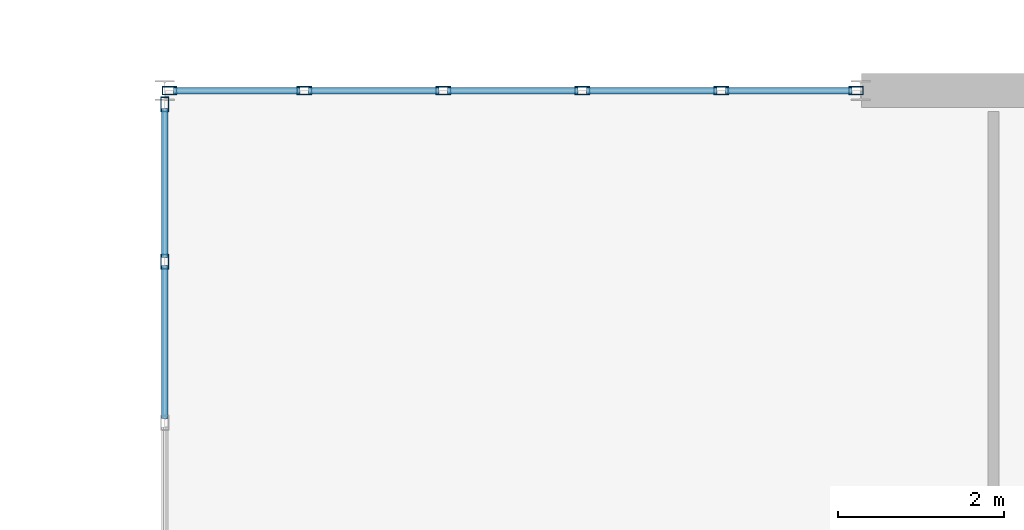
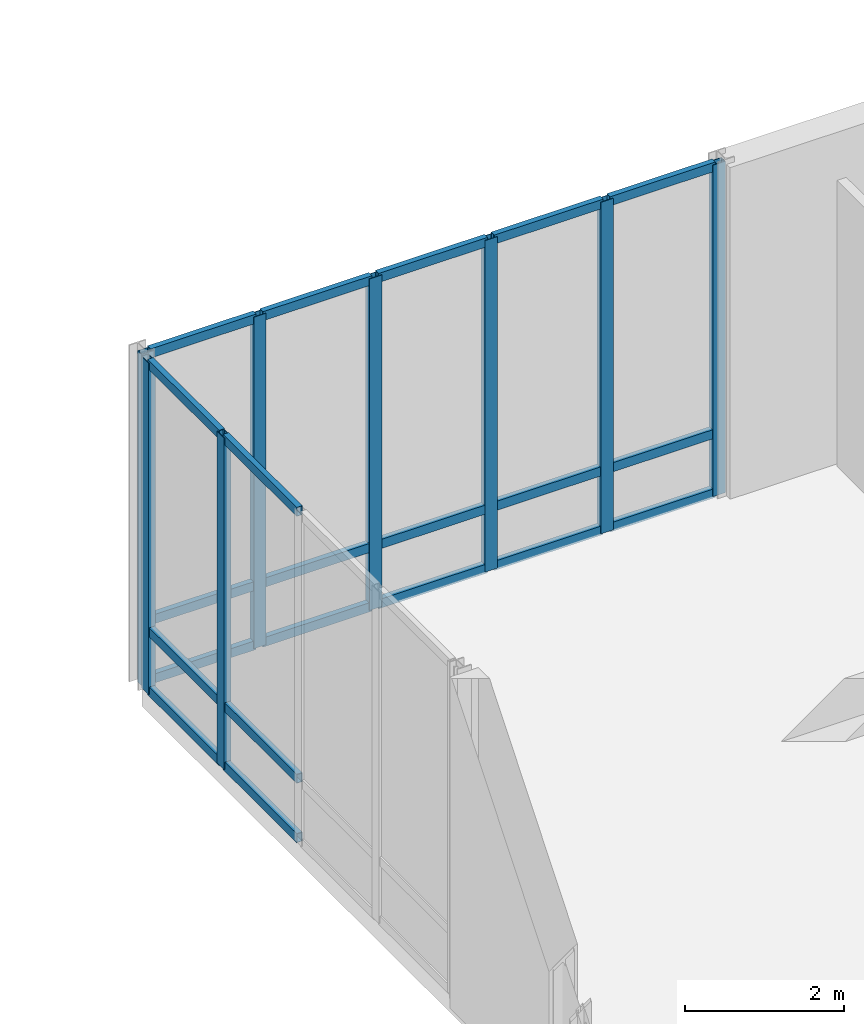
# One storey, part 70 of 169: 29 members, 2 elements without a shape of their own.
"""IFC4 building model written with IfcOpenShell, lengths in metres."""

from ifc_helpers import new_model, si_unit, direction, frame, origin, origin_2d, place, context, subcontext, project, spatial, hollow_rectangle, extrude, material, layer, layer_set, material_profile, profile_set, type_object, element, aggregate, save


model = new_model("IFC4")

# Units and contexts
model_context = context("Model", 3, precision=1e-05, world=origin(), true_north=direction((0.0, 1.0)))
body_context = subcontext(model_context, "Body", "Model", "MODEL_VIEW")
ifc_project = project(units=[si_unit("LENGTHUNIT", "METRE"), si_unit("AREAUNIT", "SQUARE_METRE"), si_unit("VOLUMEUNIT", "CUBIC_METRE"), si_unit("PLANEANGLEUNIT", "RADIAN"), si_unit("MASSUNIT", "GRAM", prefix="KILO")], contexts=[model_context])

# Site, building, storey
site_placement = place(None, origin())
site = spatial("IfcSite", under=ifc_project, at=site_placement, CompositionType="ELEMENT")
building_placement = place(site_placement, origin())
building = spatial("IfcBuilding", under=site, at=building_placement, Name="Mazaris Harbour Polytechnic", CompositionType="ELEMENT")
storey_placement = place(building_placement, origin())
storey = spatial("IfcBuildingStorey", under=building, at=storey_placement, Name="L00", CompositionType="ELEMENT", Elevation=0.0)

# Curtain wall, members
ifc_material_1 = material(Name="Anodised Bronze Aluminium and Low-E Glass", Category="aluminium")
ifc_layer = layer(ifc_material_1, 0.14990234375, Name="Anodised Bronze Aluminium and Low-E Glass")
ifc_layer_set = layer_set([ifc_layer], Name="Anodised Bronze Aluminium and Low-E Glass")
curtain_wall_type = type_object("IfcCurtainWallType", Name="Workshop Clerestory Curtain Wall", PredefinedType="NOTDEFINED", material=ifc_layer_set)
curtain_wall_1_placement = place(storey_placement, origin())
curtain_wall_1 = element("IfcCurtainWall", 1, at=curtain_wall_1_placement, inside=storey, type_object=curtain_wall_type, Name="V1 L00 Curtain Wall 5", PredefinedType="NOTDEFINED")
ifc_material_2 = material(Name="Anodised Bronze Steel S355", Category="steel")
ifc_material_profile_1 = material_profile(ifc_material_2, hollow_rectangle(XDim=0.10009765625, YDim=0.179931640625, WallThickness=0.008056640625, at=origin_2d()), Name="RHS 100x180x8.0")
ifc_profile_set_1 = profile_set([ifc_material_profile_1], Name="Anodised Bronze Steel S355")
member_type_1 = type_object("IfcMemberType", Name="Curtain Mullion RHS100x180", PredefinedType="MULLION", material=ifc_profile_set_1)
member_1_placement = place(storey_placement, frame((54.05810546875, 118.800048828125, 0.0), z_axis=(0.0, 0.0, 1.0), x_axis=(0.0, 1.0, 0.0)))
member_1 = element("IfcMember", 2, at=member_1_placement, type_object=member_type_1, Name="CW-04 mullion 1", PredefinedType="MULLION", context=body_context, shape_type="SweptSolid", body=[
    extrude(hollow_rectangle(XDim=0.10009765625, YDim=0.179931640625, WallThickness=0.008056640625, at=origin_2d()), origin(), (0.0, 0.0, 1.0), 5.080078125),
])
member_2_placement = place(storey_placement, frame((55.684814453125, 118.800048828125, 0.0), z_axis=(0.0, 0.0, 1.0), x_axis=(0.0, 1.0, 0.0)))
member_2 = element("IfcMember", 3, at=member_2_placement, type_object=member_type_1, Name="CW-04 mullion 2", PredefinedType="MULLION", context=body_context, shape_type="SweptSolid", body=[
    extrude(hollow_rectangle(XDim=0.10009765625, YDim=0.179931640625, WallThickness=0.008056640625, at=origin_2d()), origin(), (0.0, 0.0, 1.0), 5.080078125),
])
member_3_placement = place(storey_placement, frame((57.361572265625, 118.800048828125, 0.0), z_axis=(0.0, 0.0, 1.0), x_axis=(0.0, 1.0, 0.0)))
member_3 = element("IfcMember", 4, at=member_3_placement, type_object=member_type_1, Name="CW-04 mullion 3", PredefinedType="MULLION", context=body_context, shape_type="SweptSolid", body=[
    extrude(hollow_rectangle(XDim=0.10009765625, YDim=0.179931640625, WallThickness=0.008056640625, at=origin_2d()), origin(), (0.0, 0.0, 1.0), 5.080078125),
])
member_4_placement = place(storey_placement, frame((59.038330078125, 118.800048828125, 0.0), z_axis=(0.0, 0.0, 1.0), x_axis=(0.0, 1.0, 0.0)))
member_4 = element("IfcMember", 5, at=member_4_placement, type_object=member_type_1, Name="CW-04 mullion 4", PredefinedType="MULLION", context=body_context, shape_type="SweptSolid", body=[
    extrude(hollow_rectangle(XDim=0.10009765625, YDim=0.179931640625, WallThickness=0.008056640625, at=origin_2d()), origin(), (0.0, 0.0, 1.0), 5.080078125),
])
member_5_placement = place(storey_placement, frame((60.715087890625, 118.800048828125, 0.0), z_axis=(0.0, 0.0, 1.0), x_axis=(0.0, 1.0, 0.0)))
member_5 = element("IfcMember", 6, at=member_5_placement, type_object=member_type_1, Name="CW-04 mullion 5", PredefinedType="MULLION", context=body_context, shape_type="SweptSolid", body=[
    extrude(hollow_rectangle(XDim=0.10009765625, YDim=0.179931640625, WallThickness=0.008056640625, at=origin_2d()), origin(), (0.0, 0.0, 1.0), 5.080078125),
])
member_6_placement = place(storey_placement, frame((62.342041015625, 118.800048828125, 0.0), z_axis=(0.0, 0.0, 1.0), x_axis=(0.0, 1.0, 0.0)))
member_6 = element("IfcMember", 7, at=member_6_placement, type_object=member_type_1, Name="CW-04 mullion 6", PredefinedType="MULLION", context=body_context, shape_type="SweptSolid", body=[
    extrude(hollow_rectangle(XDim=0.10009765625, YDim=0.179931640625, WallThickness=0.008056640625, at=origin_2d()), origin(), (0.0, 0.0, 1.0), 5.080078125),
])

curtain_wall_2_placement = place(storey_placement, origin())
curtain_wall_2 = element("IfcCurtainWall", 8, at=curtain_wall_2_placement, inside=storey, type_object=curtain_wall_type, Name="V1 L00 Curtain Wall 9", PredefinedType="NOTDEFINED")
member_7_placement = place(storey_placement, frame((54.0, 116.736572265625, 0.0), z_axis=(0.0, 0.0, 1.0), x_axis=(-1.0, 0.0, 0.0)))
member_7 = element("IfcMember", 9, at=member_7_placement, type_object=member_type_1, Name="CW-04 mullion 4", PredefinedType="MULLION", context=body_context, shape_type="SweptSolid", body=[
    extrude(hollow_rectangle(XDim=0.10009765625, YDim=0.179931640625, WallThickness=0.008056640625, at=origin_2d()), origin(), (0.0, 0.0, 1.0), 5.080078125),
])
member_8_placement = place(storey_placement, frame((54.0, 118.633056640625, 0.0), z_axis=(0.0, 0.0, 1.0), x_axis=(-1.0, 0.0, 0.0)))
member_8 = element("IfcMember", 10, at=member_8_placement, type_object=member_type_1, Name="CW-04 mullion 5", PredefinedType="MULLION", context=body_context, shape_type="SweptSolid", body=[
    extrude(hollow_rectangle(XDim=0.10009765625, YDim=0.179931640625, WallThickness=0.008056640625, at=origin_2d()), origin(), (0.0, 0.0, 1.0), 5.080078125),
])

# Member
ifc_material_3 = material(Name="Anodised Bronze Steel S355", Category="steel")
ifc_material_profile_2 = material_profile(ifc_material_3, hollow_rectangle(XDim=0.080078125, YDim=0.139892578125, WallThickness=0.00634765625, at=origin_2d()), Name="RHS 80x140x6.3")
ifc_profile_set_2 = profile_set([ifc_material_profile_2], Name="Anodised Bronze Steel S355")
member_type_2 = type_object("IfcMemberType", Name="Curtain Transom RHS80x140", PredefinedType="USERDEFINED", material=ifc_profile_set_2)
member_9_placement = place(storey_placement, frame((54.10791015625, 118.800048828125, 0.0400390625), z_axis=(1.0, 0.0, 0.0), x_axis=(0.0, 1.0, 0.0)))
member_9 = element("IfcMember", 11, at=member_9_placement, type_object=member_type_2, Name="CW-04 transom 1.1", ObjectType="TRANSOM", PredefinedType="USERDEFINED", context=body_context, shape_type="SweptSolid", body=[
    extrude(hollow_rectangle(XDim=0.080078125, YDim=0.139892578125, WallThickness=0.00634765625, at=origin_2d()), origin(), (0.0, 0.0, 1.0), 1.52685546875),
])

member_10_placement = place(storey_placement, frame((54.10791015625, 118.800048828125, 0.949951171875), z_axis=(1.0, 0.0, 0.0), x_axis=(0.0, 1.0, 0.0)))
member_10 = element("IfcMember", 12, at=member_10_placement, type_object=member_type_2, Name="CW-04 transom 1.2", ObjectType="TRANSOM", PredefinedType="USERDEFINED", context=body_context, shape_type="SweptSolid", body=[
    extrude(hollow_rectangle(XDim=0.080078125, YDim=0.139892578125, WallThickness=0.00634765625, at=origin_2d()), origin(), (0.0, 0.0, 1.0), 1.52685546875),
])

member_11_placement = place(storey_placement, frame((54.10791015625, 118.800048828125, 5.0400390625), z_axis=(1.0, 0.0, 0.0), x_axis=(0.0, 1.0, 0.0)))
member_11 = element("IfcMember", 13, at=member_11_placement, type_object=member_type_2, Name="CW-04 transom 1.3", ObjectType="TRANSOM", PredefinedType="USERDEFINED", context=body_context, shape_type="SweptSolid", body=[
    extrude(hollow_rectangle(XDim=0.080078125, YDim=0.139892578125, WallThickness=0.00634765625, at=origin_2d()), origin(), (0.0, 0.0, 1.0), 1.52685546875),
])

member_12_placement = place(storey_placement, frame((55.73486328125, 118.800048828125, 0.0400390625), z_axis=(1.0, 0.0, 0.0), x_axis=(0.0, 1.0, 0.0)))
member_12 = element("IfcMember", 14, at=member_12_placement, type_object=member_type_2, Name="CW-04 transom 2.1", ObjectType="TRANSOM", PredefinedType="USERDEFINED", context=body_context, shape_type="SweptSolid", body=[
    extrude(hollow_rectangle(XDim=0.080078125, YDim=0.139892578125, WallThickness=0.00634765625, at=origin_2d()), origin(), (0.0, 0.0, 1.0), 1.57666015625),
])

member_13_placement = place(storey_placement, frame((55.73486328125, 118.800048828125, 0.949951171875), z_axis=(1.0, 0.0, 0.0), x_axis=(0.0, 1.0, 0.0)))
member_13 = element("IfcMember", 15, at=member_13_placement, type_object=member_type_2, Name="CW-04 transom 2.2", ObjectType="TRANSOM", PredefinedType="USERDEFINED", context=body_context, shape_type="SweptSolid", body=[
    extrude(hollow_rectangle(XDim=0.080078125, YDim=0.139892578125, WallThickness=0.00634765625, at=origin_2d()), origin(), (0.0, 0.0, 1.0), 1.57666015625),
])

member_14_placement = place(storey_placement, frame((55.73486328125, 118.800048828125, 5.0400390625), z_axis=(1.0, 0.0, 0.0), x_axis=(0.0, 1.0, 0.0)))
member_14 = element("IfcMember", 16, at=member_14_placement, type_object=member_type_2, Name="CW-04 transom 2.3", ObjectType="TRANSOM", PredefinedType="USERDEFINED", context=body_context, shape_type="SweptSolid", body=[
    extrude(hollow_rectangle(XDim=0.080078125, YDim=0.139892578125, WallThickness=0.00634765625, at=origin_2d()), origin(), (0.0, 0.0, 1.0), 1.57666015625),
])

member_15_placement = place(storey_placement, frame((57.41162109375, 118.800048828125, 0.0400390625), z_axis=(1.0, 0.0, 0.0), x_axis=(0.0, 1.0, 0.0)))
member_15 = element("IfcMember", 17, at=member_15_placement, type_object=member_type_2, Name="CW-04 transom 3.1", ObjectType="TRANSOM", PredefinedType="USERDEFINED", context=body_context, shape_type="SweptSolid", body=[
    extrude(hollow_rectangle(XDim=0.080078125, YDim=0.139892578125, WallThickness=0.00634765625, at=origin_2d()), origin(), (0.0, 0.0, 1.0), 1.57666015625),
])

member_16_placement = place(storey_placement, frame((57.41162109375, 118.800048828125, 0.949951171875), z_axis=(1.0, 0.0, 0.0), x_axis=(0.0, 1.0, 0.0)))
member_16 = element("IfcMember", 18, at=member_16_placement, type_object=member_type_2, Name="CW-04 transom 3.2", ObjectType="TRANSOM", PredefinedType="USERDEFINED", context=body_context, shape_type="SweptSolid", body=[
    extrude(hollow_rectangle(XDim=0.080078125, YDim=0.139892578125, WallThickness=0.00634765625, at=origin_2d()), origin(), (0.0, 0.0, 1.0), 1.57666015625),
])

member_17_placement = place(storey_placement, frame((57.41162109375, 118.800048828125, 5.0400390625), z_axis=(1.0, 0.0, 0.0), x_axis=(0.0, 1.0, 0.0)))
member_17 = element("IfcMember", 19, at=member_17_placement, type_object=member_type_2, Name="CW-04 transom 3.3", ObjectType="TRANSOM", PredefinedType="USERDEFINED", context=body_context, shape_type="SweptSolid", body=[
    extrude(hollow_rectangle(XDim=0.080078125, YDim=0.139892578125, WallThickness=0.00634765625, at=origin_2d()), origin(), (0.0, 0.0, 1.0), 1.57666015625),
])

member_18_placement = place(storey_placement, frame((59.08837890625, 118.800048828125, 0.0400390625), z_axis=(1.0, 0.0, 0.0), x_axis=(0.0, 1.0, 0.0)))
member_18 = element("IfcMember", 20, at=member_18_placement, type_object=member_type_2, Name="CW-04 transom 4.1", ObjectType="TRANSOM", PredefinedType="USERDEFINED", context=body_context, shape_type="SweptSolid", body=[
    extrude(hollow_rectangle(XDim=0.080078125, YDim=0.139892578125, WallThickness=0.00634765625, at=origin_2d()), origin(), (0.0, 0.0, 1.0), 1.576904296875),
])

member_19_placement = place(storey_placement, frame((59.08837890625, 118.800048828125, 0.949951171875), z_axis=(1.0, 0.0, 0.0), x_axis=(0.0, 1.0, 0.0)))
member_19 = element("IfcMember", 21, at=member_19_placement, type_object=member_type_2, Name="CW-04 transom 4.2", ObjectType="TRANSOM", PredefinedType="USERDEFINED", context=body_context, shape_type="SweptSolid", body=[
    extrude(hollow_rectangle(XDim=0.080078125, YDim=0.139892578125, WallThickness=0.00634765625, at=origin_2d()), origin(), (0.0, 0.0, 1.0), 1.576904296875),
])

member_20_placement = place(storey_placement, frame((59.08837890625, 118.800048828125, 5.0400390625), z_axis=(1.0, 0.0, 0.0), x_axis=(0.0, 1.0, 0.0)))
member_20 = element("IfcMember", 22, at=member_20_placement, type_object=member_type_2, Name="CW-04 transom 4.3", ObjectType="TRANSOM", PredefinedType="USERDEFINED", context=body_context, shape_type="SweptSolid", body=[
    extrude(hollow_rectangle(XDim=0.080078125, YDim=0.139892578125, WallThickness=0.00634765625, at=origin_2d()), origin(), (0.0, 0.0, 1.0), 1.576904296875),
])

member_21_placement = place(storey_placement, frame((60.76513671875, 118.800048828125, 0.0400390625), z_axis=(1.0, 0.0, 0.0), x_axis=(0.0, 1.0, 0.0)))
member_21 = element("IfcMember", 23, at=member_21_placement, type_object=member_type_2, Name="CW-04 transom 5.1", ObjectType="TRANSOM", PredefinedType="USERDEFINED", context=body_context, shape_type="SweptSolid", body=[
    extrude(hollow_rectangle(XDim=0.080078125, YDim=0.139892578125, WallThickness=0.00634765625, at=origin_2d()), origin(), (0.0, 0.0, 1.0), 1.52685546875),
])

member_22_placement = place(storey_placement, frame((60.76513671875, 118.800048828125, 0.949951171875), z_axis=(1.0, 0.0, 0.0), x_axis=(0.0, 1.0, 0.0)))
member_22 = element("IfcMember", 24, at=member_22_placement, type_object=member_type_2, Name="CW-04 transom 5.2", ObjectType="TRANSOM", PredefinedType="USERDEFINED", context=body_context, shape_type="SweptSolid", body=[
    extrude(hollow_rectangle(XDim=0.080078125, YDim=0.139892578125, WallThickness=0.00634765625, at=origin_2d()), origin(), (0.0, 0.0, 1.0), 1.52685546875),
])

member_23_placement = place(storey_placement, frame((60.76513671875, 118.800048828125, 5.0400390625), z_axis=(1.0, 0.0, 0.0), x_axis=(0.0, 1.0, 0.0)))
member_23 = element("IfcMember", 25, at=member_23_placement, type_object=member_type_2, Name="CW-04 transom 5.3", ObjectType="TRANSOM", PredefinedType="USERDEFINED", context=body_context, shape_type="SweptSolid", body=[
    extrude(hollow_rectangle(XDim=0.080078125, YDim=0.139892578125, WallThickness=0.00634765625, at=origin_2d()), origin(), (0.0, 0.0, 1.0), 1.52685546875),
])

aggregate(curtain_wall_1, [member_1, member_2, member_3, member_4, member_5, member_6, member_9, member_10, member_11, member_12, member_13, member_14, member_15, member_16, member_17, member_18, member_19, member_20, member_21, member_22, member_23])

member_24_placement = place(storey_placement, frame((54.0, 114.840087890625, 0.0400390625), z_axis=(0.0, 1.0, 0.0), x_axis=(-1.0, 0.0, 0.0)))
member_24 = element("IfcMember", 26, at=member_24_placement, type_object=member_type_2, Name="CW-04 transom 3.1", ObjectType="TRANSOM", PredefinedType="USERDEFINED", context=body_context, shape_type="SweptSolid", body=[
    extrude(hollow_rectangle(XDim=0.080078125, YDim=0.139892578125, WallThickness=0.00634765625, at=origin_2d()), origin(), (0.0, 0.0, 1.0), 1.846435546875),
])

member_25_placement = place(storey_placement, frame((54.0, 114.840087890625, 0.949951171875), z_axis=(0.0, 1.0, 0.0), x_axis=(-1.0, 0.0, 0.0)))
member_25 = element("IfcMember", 27, at=member_25_placement, type_object=member_type_2, Name="CW-04 transom 3.2", ObjectType="TRANSOM", PredefinedType="USERDEFINED", context=body_context, shape_type="SweptSolid", body=[
    extrude(hollow_rectangle(XDim=0.080078125, YDim=0.139892578125, WallThickness=0.00634765625, at=origin_2d()), origin(), (0.0, 0.0, 1.0), 1.846435546875),
])

member_26_placement = place(storey_placement, frame((54.0, 114.840087890625, 5.0400390625), z_axis=(0.0, 1.0, 0.0), x_axis=(-1.0, 0.0, 0.0)))
member_26 = element("IfcMember", 28, at=member_26_placement, type_object=member_type_2, Name="CW-04 transom 3.3", ObjectType="TRANSOM", PredefinedType="USERDEFINED", context=body_context, shape_type="SweptSolid", body=[
    extrude(hollow_rectangle(XDim=0.080078125, YDim=0.139892578125, WallThickness=0.00634765625, at=origin_2d()), origin(), (0.0, 0.0, 1.0), 1.846435546875),
])

member_27_placement = place(storey_placement, frame((54.0, 116.78662109375, 0.0400390625), z_axis=(0.0, 1.0, 0.0), x_axis=(-1.0, 0.0, 0.0)))
member_27 = element("IfcMember", 29, at=member_27_placement, type_object=member_type_2, Name="CW-04 transom 4.1", ObjectType="TRANSOM", PredefinedType="USERDEFINED", context=body_context, shape_type="SweptSolid", body=[
    extrude(hollow_rectangle(XDim=0.080078125, YDim=0.139892578125, WallThickness=0.00634765625, at=origin_2d()), origin(), (0.0, 0.0, 1.0), 1.79638671875),
])

member_28_placement = place(storey_placement, frame((54.0, 116.78662109375, 0.949951171875), z_axis=(0.0, 1.0, 0.0), x_axis=(-1.0, 0.0, 0.0)))
member_28 = element("IfcMember", 30, at=member_28_placement, type_object=member_type_2, Name="CW-04 transom 4.2", ObjectType="TRANSOM", PredefinedType="USERDEFINED", context=body_context, shape_type="SweptSolid", body=[
    extrude(hollow_rectangle(XDim=0.080078125, YDim=0.139892578125, WallThickness=0.00634765625, at=origin_2d()), origin(), (0.0, 0.0, 1.0), 1.79638671875),
])

member_29_placement = place(storey_placement, frame((54.0, 116.78662109375, 5.0400390625), z_axis=(0.0, 1.0, 0.0), x_axis=(-1.0, 0.0, 0.0)))
member_29 = element("IfcMember", 31, at=member_29_placement, type_object=member_type_2, Name="CW-04 transom 4.3", ObjectType="TRANSOM", PredefinedType="USERDEFINED", context=body_context, shape_type="SweptSolid", body=[
    extrude(hollow_rectangle(XDim=0.080078125, YDim=0.139892578125, WallThickness=0.00634765625, at=origin_2d()), origin(), (0.0, 0.0, 1.0), 1.79638671875),
])

aggregate(curtain_wall_2, [member_7, member_8, member_24, member_25, member_26, member_27, member_28, member_29])

save(model, "model.ifc")
